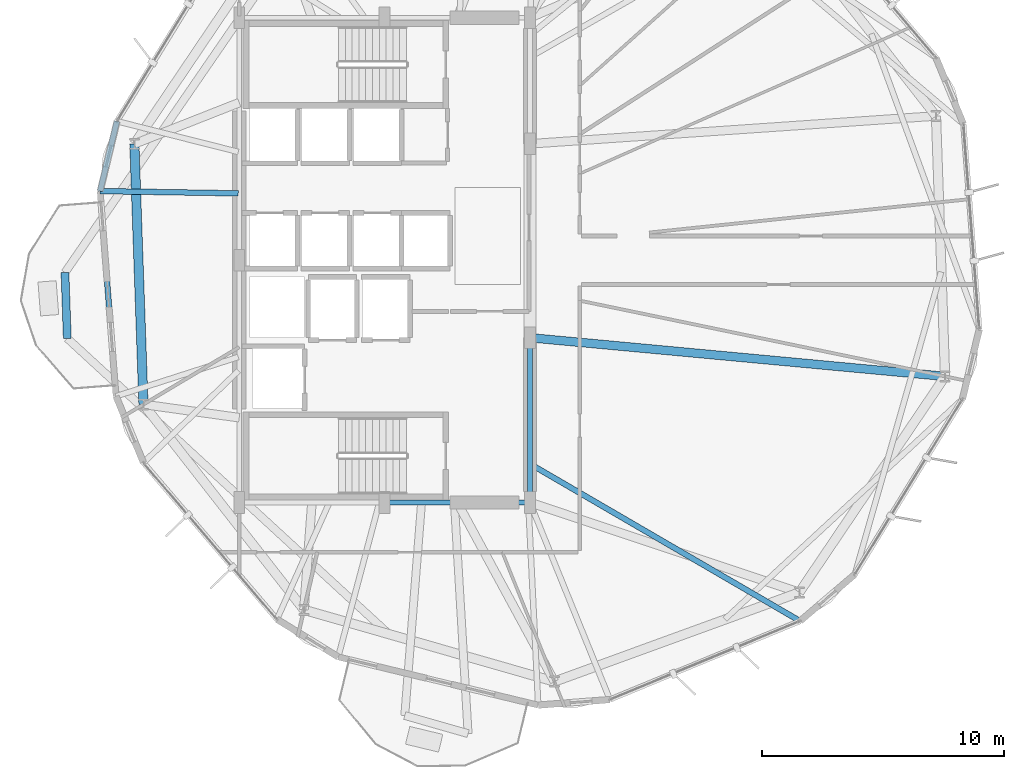
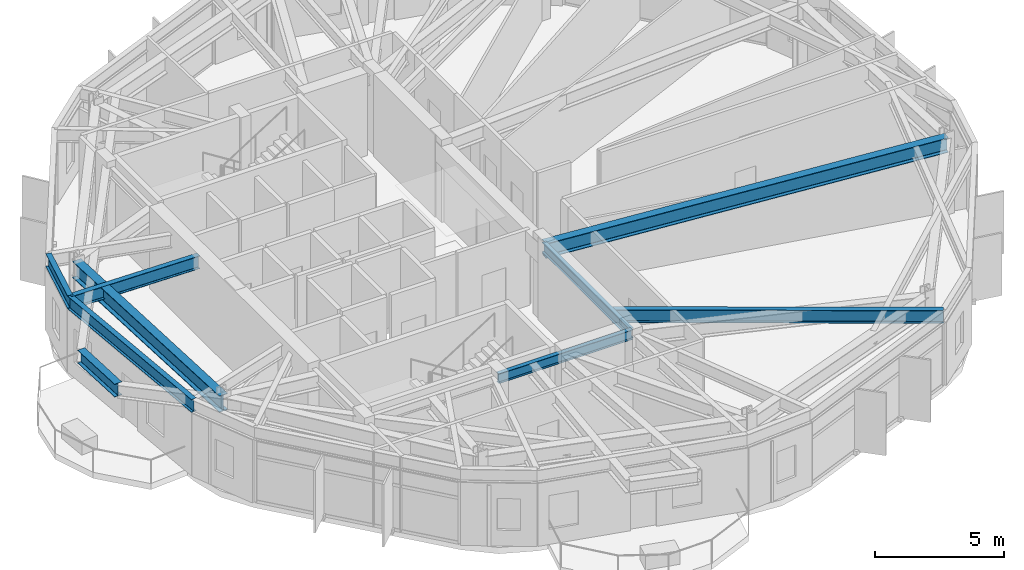
# One storey, part 6 of 21: 9 beams.
"""IFC4 building model written with IfcOpenShell, lengths in metres."""

import ifcopenshell
import ifcopenshell.guid

model = None  # the IFC model being written
_history = None  # IfcOwnerHistory: only IFC2X3 demands one
_inside = {}  # id of a spatial element -> (the spatial element, [elements in it])
_under = {}  # id of a project, library or spatial element -> (it, [spatial elements below it])
_declared = {}  # id of a project -> (the project, [libraries it declares])
_typed = {}  # id of a type object -> (the type object, [elements of that type])
_made_of = {}  # id of a material, layer set ... -> (it, [elements and type objects made of it])


def new_model(schema):
    """Start an empty IFC model of exactly this schema.

    Asked for "IFC4X3", IfcOpenShell would pick the latest addendum, in which some entities
    have other attributes; the version numbers below select the first issue.
    IFC2X3 requires an IfcOwnerHistory on every rooted entity: one is made here for all.
    """
    global model, _history
    if schema == "IFC4X3":
        model = ifcopenshell.file(schema_version=(4, 3, 0, 0))
    else:
        model = ifcopenshell.file(schema=schema)
    _inside.clear()
    _under.clear()
    _declared.clear()
    _typed.clear()
    _made_of.clear()
    _history = None
    if model.schema == "IFC2X3":
        org = make("IfcOrganization", Name="unknown")
        user = make(
            "IfcPersonAndOrganization",
            ThePerson=make("IfcPerson", FamilyName="unknown"),
            TheOrganization=org,
        )
        app = make(
            "IfcApplication",
            ApplicationDeveloper=org,
            Version="unknown",
            ApplicationFullName="unknown",
            ApplicationIdentifier="unknown",
        )
        _history = make(
            "IfcOwnerHistory",
            OwningUser=user,
            OwningApplication=app,
            ChangeAction="ADDED",
            CreationDate=0,
        )
    return model


def make(cls, **values):
    """One entity of the class cls with the attributes given. An attribute that is None is left unset."""
    return model.create_entity(
        cls, **{name: value for name, value in values.items() if value is not None}
    )


def rooted(cls, **values):
    """An entity with a GlobalId (a new one), such as an element, a storey or a relation."""
    return make(cls, GlobalId=ifcopenshell.guid.new(), OwnerHistory=_history, **values)


def si_unit(unit_type, name, prefix=None):
    """IfcSIUnit, for example si_unit("LENGTHUNIT", "METRE", prefix="MILLI")."""
    return make("IfcSIUnit", UnitType=unit_type, Prefix=prefix, Name=name)


def assignment(units):
    """IfcUnitAssignment: the units of a project."""
    return None if units is None else make("IfcUnitAssignment", Units=units)


def point(xyz):
    """IfcCartesianPoint."""
    return None if xyz is None else make("IfcCartesianPoint", Coordinates=xyz)


def direction(xyz):
    """IfcDirection."""
    return None if xyz is None else make("IfcDirection", DirectionRatios=xyz)


def frame(location, z_axis=None, x_axis=None):
    """IfcAxis2Placement3D, a coordinate frame: its origin and axes. An axis left out is left unset."""
    return make(
        "IfcAxis2Placement3D",
        Location=point(location),
        Axis=direction(z_axis),
        RefDirection=direction(x_axis),
    )


def frame_2d(location, x_axis=None):
    """IfcAxis2Placement2D, a coordinate frame in the plane: its origin and x axis."""
    return make(
        "IfcAxis2Placement2D", Location=point(location), RefDirection=direction(x_axis)
    )


def origin():
    """The frame at (0, 0, 0) with its axes left unset."""
    return frame((0.0, 0.0, 0.0))


def origin_2d():
    """The frame at (0, 0) in the plane with its x axis left unset."""
    return frame_2d((0.0, 0.0))


def place(relative_to, where):
    """IfcLocalPlacement: puts the frame where relative to a parent placement (None: the world)."""
    return make(
        "IfcLocalPlacement", PlacementRelTo=relative_to, RelativePlacement=where
    )


def context(
    kind, dimensions, precision=None, world=None, true_north=None, identifier=None
):
    """IfcGeometricRepresentationContext, for example the 3D "Model" context."""
    return make(
        "IfcGeometricRepresentationContext",
        ContextIdentifier=identifier,
        ContextType=kind,
        CoordinateSpaceDimension=dimensions,
        Precision=precision,
        WorldCoordinateSystem=world,
        TrueNorth=true_north,
    )


def subcontext(parent, identifier, kind, view, scale=None):
    """IfcGeometricRepresentationSubContext, for example "Body" below "Model"."""
    return make(
        "IfcGeometricRepresentationSubContext",
        ContextIdentifier=identifier,
        ContextType=kind,
        ParentContext=parent,
        TargetScale=scale,
        TargetView=view,
    )


def project(units=None, contexts=None):
    """IfcProject with its units and contexts."""
    return rooted(
        "IfcProject",
        Name="project",
        RepresentationContexts=contexts,
        UnitsInContext=assignment(units),
    )


def spatial(cls, under=None, at=None, **own):
    """A site, building, storey or space (cls), placed at a placement, below another one or the project."""
    s = rooted(cls, ObjectPlacement=at, **own)
    if under is not None:
        _under.setdefault(under.id(), (under, []))[1].append(s)
    return s


def profile(cls, at=None, kind="AREA", **sizes):
    """A parametric profile (cls). Its sizes go by their IFC names, for example OverallWidth=200.0."""
    return make(cls, ProfileType=kind, Position=at, **sizes)


def i_section(**sizes):
    """IfcIShapeProfileDef."""
    return profile("IfcIShapeProfileDef", **sizes)


def extrude(swept, where, along, depth):
    """IfcExtrudedAreaSolid: the profile swept, set in the frame where, extruded along a direction by depth."""
    return make(
        "IfcExtrudedAreaSolid",
        SweptArea=swept,
        Position=where,
        ExtrudedDirection=direction(along),
        Depth=depth,
    )


def shape(context_of_items, identifier, shape_type, items):
    """IfcShapeRepresentation: the items that make up one representation, for example the "Body"."""
    return make(
        "IfcShapeRepresentation",
        ContextOfItems=context_of_items,
        RepresentationIdentifier=identifier,
        RepresentationType=shape_type,
        Items=items,
    )


def material(Name=None, Category=None):
    """IfcMaterial."""
    return make("IfcMaterial", Name=Name, Category=Category)


def material_profile(
    of_material, cross_section, Name=None, Category=None, Priority=None
):
    """IfcMaterialProfile: a cross section and its material."""
    return make(
        "IfcMaterialProfile",
        Name=Name,
        Material=of_material,
        Profile=cross_section,
        Priority=Priority,
        Category=Category,
    )


def profile_set(profiles, Name=None, composite=None):
    """IfcMaterialProfileSet."""
    return make(
        "IfcMaterialProfileSet",
        Name=Name,
        MaterialProfiles=profiles,
        CompositeProfile=composite,
    )


def made_of(thing, what):
    """Note that an element or type object is made of a material, layer set ...; save() writes the relation."""
    if what is not None:
        _made_of.setdefault(what.id(), (what, []))[1].append(thing)
    return thing


def type_object(cls, material=None, **own):
    """A type object (cls), such as IfcWallType, which elements share."""
    return made_of(rooted(cls, **own), material)


def element(
    cls,
    number,
    at=None,
    inside=None,
    cuts=None,
    type_object=None,
    material=None,
    context=None,
    identifier="Body",
    shape_type=None,
    held_by="IfcProductDefinitionShape",
    body=None,
    shapes=None,
    **own,
):
    """One element of the class cls, such as IfcWall. Its Tag is "e" and its number.

    at: its placement. inside: the storey or other place that contains it. cuts: it is an
    opening in that element (IfcRelVoidsElement). A single representation is given by context,
    identifier, shape_type and body (its items); several are given by shapes. held_by: the class
    of the entity that holds the representations. save() writes the other relations.
    """
    e = rooted(cls, Tag="e%d" % number, ObjectPlacement=at, **own)
    if body is not None:
        shapes = [shape(context, identifier, shape_type, body)]
    if shapes is not None:
        e.Representation = make(held_by, Representations=shapes)
    if inside is not None:
        _inside.setdefault(inside.id(), (inside, []))[1].append(e)
    if cuts is not None:
        rooted(
            "IfcRelVoidsElement", RelatingBuildingElement=cuts, RelatedOpeningElement=e
        )
    if type_object is not None:
        _typed.setdefault(type_object.id(), (type_object, []))[1].append(e)
    return made_of(e, material)


def aggregate(whole, parts):
    """IfcRelAggregates: a whole, such as a stair, and the parts it consists of."""
    return rooted("IfcRelAggregates", RelatingObject=whole, RelatedObjects=parts)


def save(model, path):
    """Write the relations noted so far, then the file.

    IfcRelAggregates (storeys below a building ...), IfcRelContainedInSpatialStructure (elements
    in a storey), IfcRelDefinesByType, IfcRelAssociatesMaterial and IfcRelDeclares: one each for
    every whole, place, type object, material and project.
    """
    for whole, parts in _under.values():
        aggregate(whole, parts)
    for where, things in _inside.values():
        rooted(
            "IfcRelContainedInSpatialStructure",
            RelatedElements=things,
            RelatingStructure=where,
        )
    for kind, things in _typed.values():
        rooted("IfcRelDefinesByType", RelatedObjects=things, RelatingType=kind)
    for what, things in _made_of.values():
        rooted("IfcRelAssociatesMaterial", RelatedObjects=things, RelatingMaterial=what)
    for by, libraries in _declared.values():
        rooted("IfcRelDeclares", RelatingContext=by, RelatedDefinitions=libraries)
    model.write(path)


model = new_model("IFC4")

# Units and contexts
model_context = context("Model", 3, precision=1e-05, world=origin(), true_north=direction((0.0, 1.0)))
body_context = subcontext(model_context, "Body", "Model", "MODEL_VIEW")
ifc_project = project(units=[si_unit("LENGTHUNIT", "METRE"), si_unit("AREAUNIT", "SQUARE_METRE"), si_unit("VOLUMEUNIT", "CUBIC_METRE"), si_unit("PLANEANGLEUNIT", "RADIAN"), si_unit("MASSUNIT", "GRAM", prefix="KILO")], contexts=[model_context])

# Site, building, storey
site_placement = place(None, origin())
site = spatial("IfcSite", under=ifc_project, at=site_placement, CompositionType="ELEMENT")
building_placement = place(site_placement, origin())
building = spatial("IfcBuilding", under=site, at=building_placement, Name="Soratama Intermodal Tower", CompositionType="ELEMENT")
storey_placement = place(building_placement, frame((0.0, 0.0, 114.699951171875)))
storey = spatial("IfcBuildingStorey", under=building, at=storey_placement, Name="L27", CompositionType="ELEMENT", Elevation=114.699951171875)

# Beams
ifc_material_1 = material(Name="Structural steel ASTM A992 Grade 50", Category="steel")
ifc_material_profile_1 = material_profile(ifc_material_1, i_section(OverallWidth=0.324951171875, OverallDepth=0.615966796875, WebThickness=0.013916015625, FlangeThickness=0.021484375, FilletRadius=0.013916015625, at=origin_2d()), Name="W24X117")
ifc_profile_set_1 = profile_set([ifc_material_profile_1], Name="Structural steel ASTM A992 Grade 50")
beam_type_1 = type_object("IfcBeamType", Name="BM-CANT-W24X117", PredefinedType="BEAM", material=ifc_profile_set_1)
beam_1_placement = place(storey_placement, frame((25.410888671875, 24.490966796875, 3.2919921875), z_axis=(0.035009514222, -0.99938697906, 0.0), x_axis=(0.99938697906, 0.035009514222, 0.0)))
element("IfcBeam", 1, at=beam_1_placement, inside=storey, type_object=beam_type_1, Name="BM-L27-CBHDR-2", PredefinedType="BEAM", context=body_context, shape_type="SweptSolid", body=[
    extrude(i_section(OverallWidth=0.324951171875, OverallDepth=0.615966796875, WebThickness=0.013916015625, FlangeThickness=0.021484375, FilletRadius=0.013916015625, at=origin_2d()), origin(), (0.0, 0.0, 1.0), 2.7197265625),
])
ifc_material_2 = material(Name="Structural steel ASTM A992 Grade 50", Category="steel")
ifc_material_profile_2 = material_profile(ifc_material_2, i_section(OverallWidth=0.19091796875, OverallDepth=0.4599609375, WebThickness=0.010009765625, FlangeThickness=0.01611328125, FilletRadius=0.010986328125, at=origin_2d()), Name="W18X55")
ifc_profile_set_2 = profile_set([ifc_material_profile_2], Name="Structural steel ASTM A992 Grade 50")
beam_type_2 = type_object("IfcBeamType", Name="BM-FLR-W18X55", PredefinedType="BEAM", material=ifc_profile_set_2)
beam_2_placement = place(storey_placement, frame((38.60009765625, 15.0, 3.3701171875), z_axis=(1.0, 0.0, 0.0), x_axis=(0.0, 1.0, 0.0)))
element("IfcBeam", 2, at=beam_2_placement, inside=storey, type_object=beam_type_2, Name="BM-L27-CRING-02", PredefinedType="BEAM", context=body_context, shape_type="SweptSolid", body=[
    extrude(i_section(OverallWidth=0.19091796875, OverallDepth=0.4599609375, WebThickness=0.010009765625, FlangeThickness=0.01611328125, FilletRadius=0.010986328125, at=origin_2d()), origin(), (0.0, 0.0, 1.0), 6.0),
])
beam_3_placement = place(storey_placement, frame((44.60009765625, 15.0, 3.3701171875), z_axis=(0.0, 1.0, 0.0), x_axis=(-1.0, 0.0, 0.0)))
element("IfcBeam", 3, at=beam_3_placement, inside=storey, type_object=beam_type_2, Name="BM-L27-CRING-03", PredefinedType="BEAM", context=body_context, shape_type="SweptSolid", body=[
    extrude(i_section(OverallWidth=0.19091796875, OverallDepth=0.4599609375, WebThickness=0.010009765625, FlangeThickness=0.01611328125, FilletRadius=0.010986328125, at=origin_2d()), origin(), (0.0, 0.0, 1.0), 6.800048828125),
])
ifc_material_3 = material(Name="Structural steel ASTM A992 Grade 50", Category="steel")
ifc_material_profile_3 = material_profile(ifc_material_3, i_section(OverallWidth=0.35498046875, OverallDepth=0.695068359375, WebThickness=0.015380859375, FlangeThickness=0.02490234375, FilletRadius=0.01611328125, at=origin_2d()), Name="W27X146")
ifc_profile_set_3 = profile_set([ifc_material_profile_3], Name="Structural steel ASTM A992 Grade 50")
beam_type_3 = type_object("IfcBeamType", Name="BM-RING-W27X146", PredefinedType="BEAM", material=ifc_profile_set_3)
beam_4_placement = place(storey_placement, frame((44.60009765625, 21.800048828125, 3.25244140625), z_axis=(0.995686011515, -0.092786671855, 0.0), x_axis=(0.092786671855, 0.995686011515, 0.0)))
element("IfcBeam", 4, at=beam_4_placement, inside=storey, type_object=beam_type_3, Name="BM-L27-RAD-10", PredefinedType="BEAM", context=body_context, shape_type="SweptSolid", body=[
    extrude(i_section(OverallWidth=0.35498046875, OverallDepth=0.695068359375, WebThickness=0.015380859375, FlangeThickness=0.02490234375, FilletRadius=0.01611328125, at=origin_2d()), origin(), (0.0, 0.0, 1.0), 17.2001953125),
])
ifc_material_4 = material(Name="Structural steel ASTM A992 Grade 50", Category="steel")
ifc_material_profile_4 = material_profile(ifc_material_4, i_section(OverallWidth=0.382080078125, OverallDepth=0.779052734375, WebThickness=0.01806640625, FlangeThickness=0.030029296875, FilletRadius=0.01806640625, at=origin_2d()), Name="W30X191")
ifc_profile_set_4 = profile_set([ifc_material_profile_4], Name="Structural steel ASTM A992 Grade 50")
beam_type_4 = type_object("IfcBeamType", Name="BM-RING-W30X191", PredefinedType="BEAM", material=ifc_profile_set_4)
beam_5_placement = place(storey_placement, frame((28.27392578125, 29.7958984375, 3.21044921875), z_axis=(0.034872799059, -0.999391758964, 0.0), x_axis=(0.999391758964, 0.034872799059, 0.0)))
element("IfcBeam", 5, at=beam_5_placement, inside=storey, type_object=beam_type_4, Name="BM-L27-RING-05", PredefinedType="BEAM", context=body_context, shape_type="SweptSolid", body=[
    extrude(i_section(OverallWidth=0.382080078125, OverallDepth=0.779052734375, WebThickness=0.01806640625, FlangeThickness=0.030029296875, FilletRadius=0.01806640625, at=origin_2d()), origin(), (0.0, 0.0, 1.0), 10.75341796875),
])
ifc_material_5 = material(Name="Structural steel ASTM A992 Grade 50", Category="steel")
ifc_material_profile_5 = material_profile(ifc_material_5, i_section(OverallWidth=0.22900390625, OverallDepth=0.612060546875, WebThickness=0.011962890625, FlangeThickness=0.01953125, FilletRadius=0.012939453125, at=origin_2d()), Name="W24X84")
ifc_profile_set_5 = profile_set([ifc_material_profile_5], Name="Structural steel ASTM A992 Grade 50")
beam_type_5 = type_object("IfcBeamType", Name="BM-SPN-W24X84", PredefinedType="SPANDREL", material=ifc_profile_set_5)
beam_6_placement = place(storey_placement, frame((27.553955078125, 30.73291015625, 3.2939453125), z_axis=(-0.234391040353, -0.972142397081, 0.0), x_axis=(0.972142397081, -0.234391040353, 0.0)))
element("IfcBeam", 6, at=beam_6_placement, inside=storey, type_object=beam_type_5, Name="BS-L27-CRN04", PredefinedType="SPANDREL", context=body_context, shape_type="SweptSolid", body=[
    extrude(i_section(OverallWidth=0.22900390625, OverallDepth=0.612060546875, WebThickness=0.011962890625, FlangeThickness=0.01953125, FilletRadius=0.012939453125, at=origin_2d()), origin(), (0.0, 0.0, 1.0), 2.96533203125),
])
beam_7_placement = place(storey_placement, frame((26.85888671875, 27.85009765625, 3.2939453125), z_axis=(0.077397836495, -0.997000288318, 0.0), x_axis=(0.997000288318, 0.077397836495, 0.0)))
element("IfcBeam", 7, at=beam_7_placement, inside=storey, type_object=beam_type_5, Name="BS-L27-F05", PredefinedType="SPANDREL", context=body_context, shape_type="SweptSolid", body=[
    extrude(i_section(OverallWidth=0.22900390625, OverallDepth=0.612060546875, WebThickness=0.011962890625, FlangeThickness=0.01953125, FilletRadius=0.012939453125, at=origin_2d()), origin(), (0.0, 0.0, 1.0), 8.491455078125),
])
ifc_material_6 = material(Name="Structural steel ASTM A992 Grade 50", Category="steel")
ifc_material_profile_6 = material_profile(ifc_material_6, i_section(OverallWidth=0.22900390625, OverallDepth=0.612060546875, WebThickness=0.011962890625, FlangeThickness=0.01953125, FilletRadius=0.012939453125, at=origin_2d()), Name="W24X84")
ifc_profile_set_6 = profile_set([ifc_material_profile_6], Name="Structural steel ASTM A992 Grade 50")
beam_type_6 = type_object("IfcBeamType", Name="BM-TIE-W24X84", PredefinedType="BEAM", material=ifc_profile_set_6)
beam_8_placement = place(storey_placement, frame((32.56005859375, 27.757080078125, 3.2939453125), z_axis=(-0.999866928486, 0.016313347883, 0.0), x_axis=(-0.016313347883, -0.999866928486, 0.0)))
element("IfcBeam", 8, at=beam_8_placement, inside=storey, type_object=beam_type_6, Name="BM-L27-TIE0-05", PredefinedType="BEAM", context=body_context, shape_type="SweptSolid", body=[
    extrude(i_section(OverallWidth=0.22900390625, OverallDepth=0.612060546875, WebThickness=0.011962890625, FlangeThickness=0.01953125, FilletRadius=0.012939453125, at=origin_2d()), origin(), (0.0, 0.0, 1.0), 5.701904296875),
])
beam_9_placement = place(storey_placement, frame((44.635009765625, 16.571044921875, 3.2939453125), z_axis=(0.864322665528, -0.502937699775, 0.0), x_axis=(0.502937699775, 0.864322665528, 0.0)))
element("IfcBeam", 9, at=beam_9_placement, inside=storey, type_object=beam_type_6, Name="BM-L27-TIE1-08", PredefinedType="BEAM", context=body_context, shape_type="SweptSolid", body=[
    extrude(i_section(OverallWidth=0.22900390625, OverallDepth=0.612060546875, WebThickness=0.011962890625, FlangeThickness=0.01953125, FilletRadius=0.012939453125, at=origin_2d()), origin(), (0.0, 0.0, 1.0), 12.852783203125),
])

save(model, "model.ifc")
